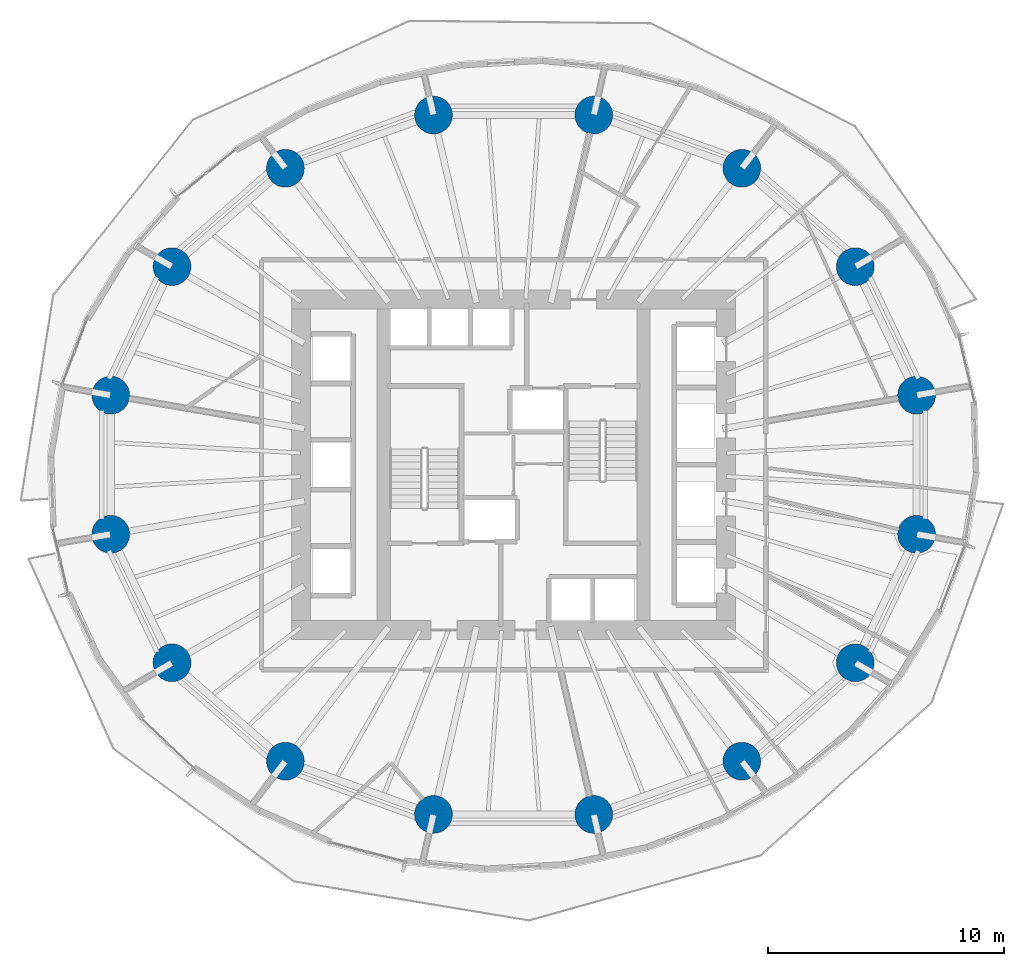
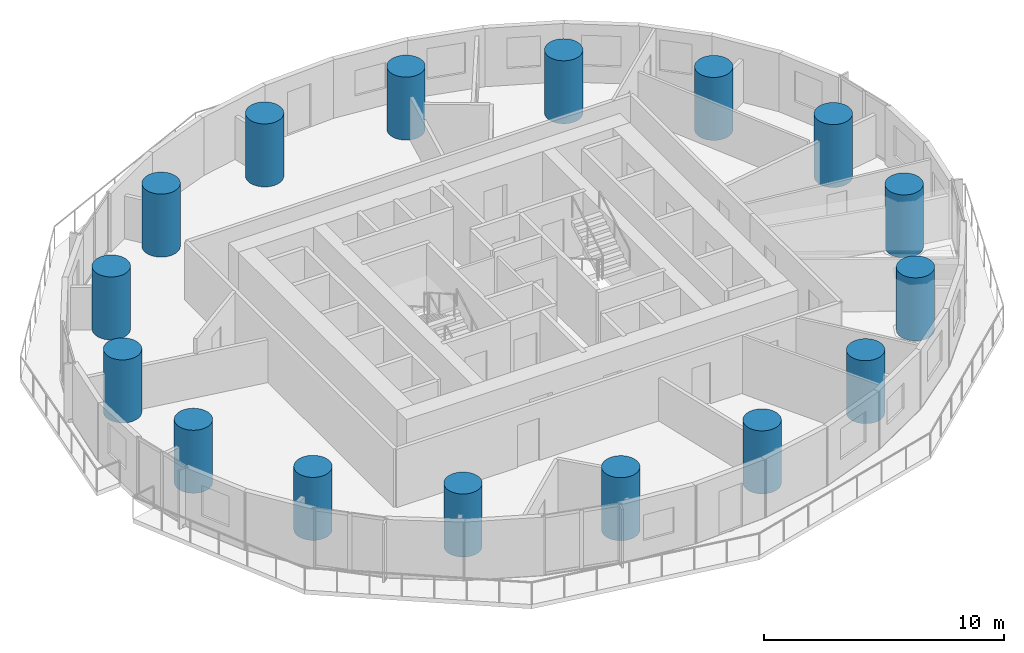
# One storey, part 1 of 14: 16 columns.
"""IFC4 building model written with IfcOpenShell, lengths in metres."""

from ifc_helpers import new_model, si_unit, direction, frame, origin, origin_2d, place, context, subcontext, project, spatial, circle, extrude, material, material_profile, profile_set, type_object, element, save


model = new_model("IFC4")

# Units and contexts
model_context = context("Model", 3, precision=1e-05, world=origin(), true_north=direction((0.0, 1.0)))
body_context = subcontext(model_context, "Body", "Model", "MODEL_VIEW")
ifc_project = project(units=[si_unit("LENGTHUNIT", "METRE"), si_unit("AREAUNIT", "SQUARE_METRE"), si_unit("VOLUMEUNIT", "CUBIC_METRE"), si_unit("PLANEANGLEUNIT", "RADIAN"), si_unit("MASSUNIT", "GRAM", prefix="KILO")], contexts=[model_context])

# Site, building, storey
site_placement = place(None, origin())
site = spatial("IfcSite", under=ifc_project, at=site_placement, CompositionType="ELEMENT")
building_placement = place(site_placement, origin())
building = spatial("IfcBuilding", under=site, at=building_placement, Name="Veldorim Arch Residences", CompositionType="ELEMENT")
storey_placement = place(building_placement, frame((0.0, 0.0, 37.60009765625)))
storey = spatial("IfcBuildingStorey", under=building, at=storey_placement, Name="L10", CompositionType="ELEMENT", Elevation=37.60009765625)

# Columns
ifc_material = material(Name="Concrete C60/75", Category="concrete")
ifc_material_profile = material_profile(ifc_material, circle(Radius=0.800048828125, at=origin_2d()), Name="RC_CIRC_1600")
ifc_profile_set = profile_set([ifc_material_profile], Name="Concrete C60/75")
column_type = type_object("IfcColumnType", Name="Structural Column RC_CIRC_1600", PredefinedType="COLUMN", material=ifc_profile_set)
for number, where, z_axis, x_axis, name in (
    (1, (49.065673828125, 26.94580078125, 0.0), (0.0, 0.0, 1.0), (1.0, 0.0, 0.0), "L10 TC-Z1-01 perimeter column"),
    (2, (46.467529296875, 32.38916015625, 0.0), (0.0, 0.0, 1.0), (1.0, 0.0, 0.0), "L10 TC-Z1-02 perimeter column"),
    (3, (41.6669921875, 36.55517578125, 0.0), (0.0, 0.0, 1.0), (1.0, 0.0, 0.0), "L10 TC-Z1-03 perimeter column"),
    (4, (35.39453125, 38.809814453125, 0.0), (0.0, 0.0, 1.0), (1.0, 0.0, 0.0), "L10 TC-Z1-04 perimeter column"),
    (5, (28.60546875, 38.809814453125, 0.0), (0.0, 0.0, 1.0), (1.0, 0.0, 0.0), "L10 TC-Z1-05 perimeter column"),
    (6, (22.3330078125, 36.55517578125, 0.0), (0.0, 0.0, 1.0), (1.0, 0.0, 0.0), "L10 TC-Z1-06 perimeter column"),
    (7, (17.532470703125, 32.38916015625, 0.0), (0.0, 0.0, 1.0), (1.0, 0.0, 0.0), "L10 TC-Z1-07 perimeter column"),
    (8, (14.934326171875, 26.94580078125, 0.0), (0.0, 0.0, 1.0), (1.0, 0.0, 0.0), "L10 TC-Z1-08 perimeter column"),
    (9, (14.934326171875, 21.05419921875, 0.0), (0.0, 0.0, 1.0), (1.0, 0.0, 0.0), "L10 TC-Z1-09 perimeter column"),
    (10, (17.532470703125, 15.61083984375, 0.0), (0.0, 0.0, 1.0), (1.0, 0.0, 0.0), "L10 TC-Z1-10 perimeter column"),
    (11, (22.3330078125, 11.44482421875, 0.0), (0.0, 0.0, 1.0), (1.0, 0.0, 0.0), "L10 TC-Z1-11 perimeter column"),
    (12, (28.60546875, 9.190185546875, 0.0), (0.0, 0.0, 1.0), (1.0, 0.0, 0.0), "L10 TC-Z1-12 perimeter column"),
    (13, (35.39453125, 9.190185546875, 0.0), (0.0, 0.0, 1.0), (1.0, 0.0, 0.0), "L10 TC-Z1-13 perimeter column"),
    (14, (41.6669921875, 11.44482421875, 0.0), (0.0, 0.0, 1.0), (1.0, 0.0, 0.0), "L10 TC-Z1-14 perimeter column"),
    (15, (46.467529296875, 15.61083984375, 0.0), (0.0, 0.0, 1.0), (1.0, 0.0, 0.0), "L10 TC-Z1-15 perimeter column"),
    (16, (49.065673828125, 21.05419921875, 0.0), (0.0, 0.0, 1.0), (1.0, 0.0, 0.0), "L10 TC-Z1-16 perimeter column"),
):
    element("IfcColumn", number, at=place(storey_placement, frame(where, z_axis=z_axis, x_axis=x_axis)), inside=storey, type_object=column_type, Name=name, PredefinedType="COLUMN", context=body_context, shape_type="SweptSolid", body=[
        extrude(circle(Radius=0.800048828125, at=origin_2d()), origin(), (0.0, 0.0, 1.0), 3.199951171875),
    ])

save(model, "model.ifc")
